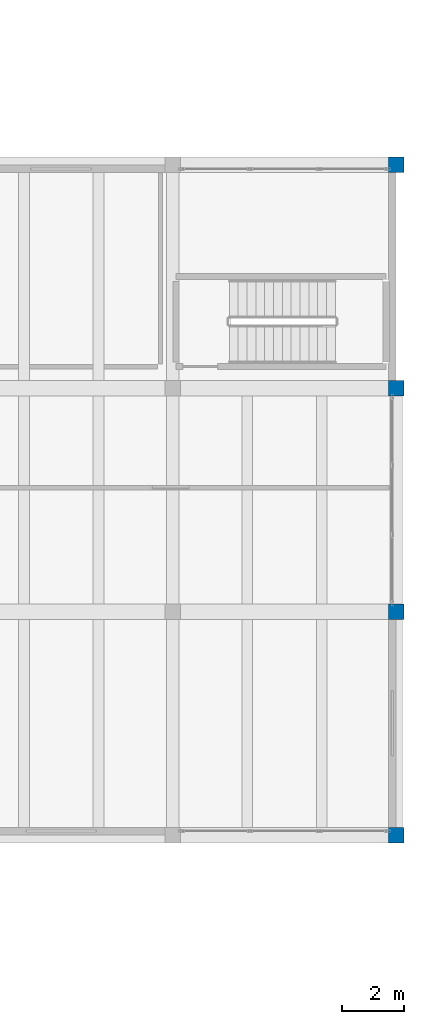
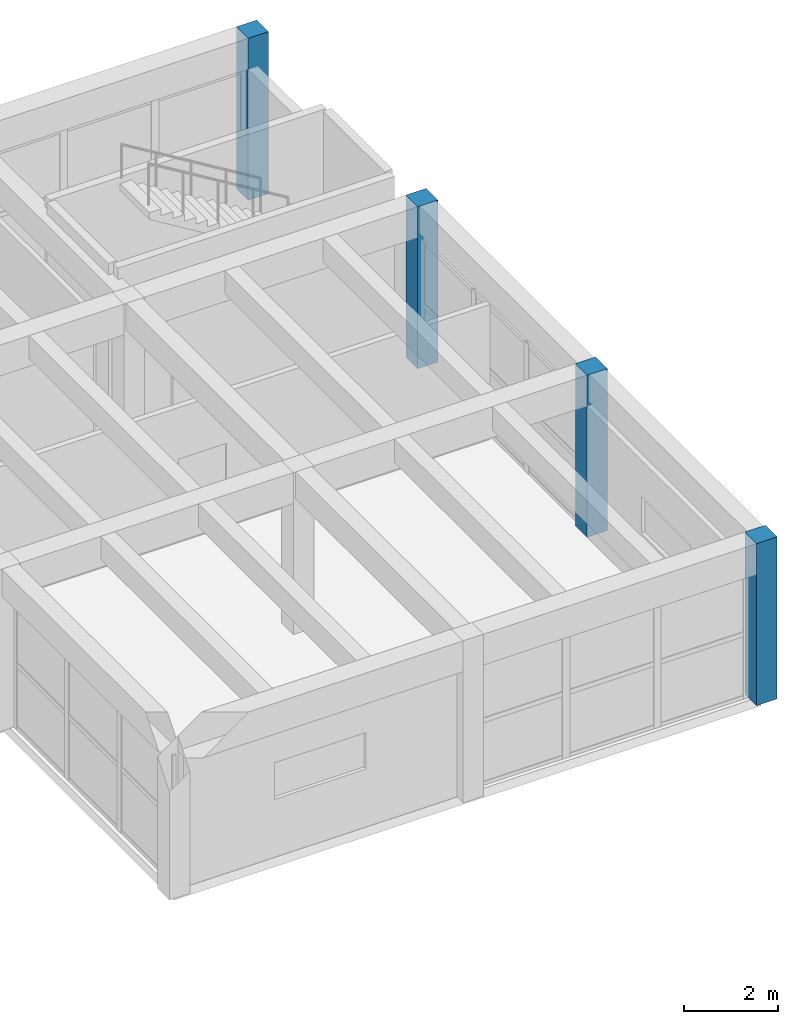
# One storey, part 7 of 153: 4 columns.
"""IFC4 building model written with IfcOpenShell, lengths in metres."""

import ifcopenshell
import ifcopenshell.guid

model = None  # the IFC model being written
_history = None  # IfcOwnerHistory: only IFC2X3 demands one
_inside = {}  # id of a spatial element -> (the spatial element, [elements in it])
_under = {}  # id of a project, library or spatial element -> (it, [spatial elements below it])
_declared = {}  # id of a project -> (the project, [libraries it declares])
_typed = {}  # id of a type object -> (the type object, [elements of that type])
_made_of = {}  # id of a material, layer set ... -> (it, [elements and type objects made of it])


def new_model(schema):
    """Start an empty IFC model of exactly this schema.

    Asked for "IFC4X3", IfcOpenShell would pick the latest addendum, in which some entities
    have other attributes; the version numbers below select the first issue.
    IFC2X3 requires an IfcOwnerHistory on every rooted entity: one is made here for all.
    """
    global model, _history
    if schema == "IFC4X3":
        model = ifcopenshell.file(schema_version=(4, 3, 0, 0))
    else:
        model = ifcopenshell.file(schema=schema)
    _inside.clear()
    _under.clear()
    _declared.clear()
    _typed.clear()
    _made_of.clear()
    _history = None
    if model.schema == "IFC2X3":
        org = make("IfcOrganization", Name="unknown")
        user = make(
            "IfcPersonAndOrganization",
            ThePerson=make("IfcPerson", FamilyName="unknown"),
            TheOrganization=org,
        )
        app = make(
            "IfcApplication",
            ApplicationDeveloper=org,
            Version="unknown",
            ApplicationFullName="unknown",
            ApplicationIdentifier="unknown",
        )
        _history = make(
            "IfcOwnerHistory",
            OwningUser=user,
            OwningApplication=app,
            ChangeAction="ADDED",
            CreationDate=0,
        )
    return model


def make(cls, **values):
    """One entity of the class cls with the attributes given. An attribute that is None is left unset."""
    return model.create_entity(
        cls, **{name: value for name, value in values.items() if value is not None}
    )


def rooted(cls, **values):
    """An entity with a GlobalId (a new one), such as an element, a storey or a relation."""
    return make(cls, GlobalId=ifcopenshell.guid.new(), OwnerHistory=_history, **values)


def si_unit(unit_type, name, prefix=None):
    """IfcSIUnit, for example si_unit("LENGTHUNIT", "METRE", prefix="MILLI")."""
    return make("IfcSIUnit", UnitType=unit_type, Prefix=prefix, Name=name)


def assignment(units):
    """IfcUnitAssignment: the units of a project."""
    return None if units is None else make("IfcUnitAssignment", Units=units)


def point(xyz):
    """IfcCartesianPoint."""
    return None if xyz is None else make("IfcCartesianPoint", Coordinates=xyz)


def direction(xyz):
    """IfcDirection."""
    return None if xyz is None else make("IfcDirection", DirectionRatios=xyz)


def frame(location, z_axis=None, x_axis=None):
    """IfcAxis2Placement3D, a coordinate frame: its origin and axes. An axis left out is left unset."""
    return make(
        "IfcAxis2Placement3D",
        Location=point(location),
        Axis=direction(z_axis),
        RefDirection=direction(x_axis),
    )


def frame_2d(location, x_axis=None):
    """IfcAxis2Placement2D, a coordinate frame in the plane: its origin and x axis."""
    return make(
        "IfcAxis2Placement2D", Location=point(location), RefDirection=direction(x_axis)
    )


def origin():
    """The frame at (0, 0, 0) with its axes left unset."""
    return frame((0.0, 0.0, 0.0))


def origin_2d():
    """The frame at (0, 0) in the plane with its x axis left unset."""
    return frame_2d((0.0, 0.0))


def place(relative_to, where):
    """IfcLocalPlacement: puts the frame where relative to a parent placement (None: the world)."""
    return make(
        "IfcLocalPlacement", PlacementRelTo=relative_to, RelativePlacement=where
    )


def context(
    kind, dimensions, precision=None, world=None, true_north=None, identifier=None
):
    """IfcGeometricRepresentationContext, for example the 3D "Model" context."""
    return make(
        "IfcGeometricRepresentationContext",
        ContextIdentifier=identifier,
        ContextType=kind,
        CoordinateSpaceDimension=dimensions,
        Precision=precision,
        WorldCoordinateSystem=world,
        TrueNorth=true_north,
    )


def subcontext(parent, identifier, kind, view, scale=None):
    """IfcGeometricRepresentationSubContext, for example "Body" below "Model"."""
    return make(
        "IfcGeometricRepresentationSubContext",
        ContextIdentifier=identifier,
        ContextType=kind,
        ParentContext=parent,
        TargetScale=scale,
        TargetView=view,
    )


def project(units=None, contexts=None):
    """IfcProject with its units and contexts."""
    return rooted(
        "IfcProject",
        Name="project",
        RepresentationContexts=contexts,
        UnitsInContext=assignment(units),
    )


def spatial(cls, under=None, at=None, **own):
    """A site, building, storey or space (cls), placed at a placement, below another one or the project."""
    s = rooted(cls, ObjectPlacement=at, **own)
    if under is not None:
        _under.setdefault(under.id(), (under, []))[1].append(s)
    return s


def profile(cls, at=None, kind="AREA", **sizes):
    """A parametric profile (cls). Its sizes go by their IFC names, for example OverallWidth=200.0."""
    return make(cls, ProfileType=kind, Position=at, **sizes)


def rectangle(**sizes):
    """IfcRectangleProfileDef."""
    return profile("IfcRectangleProfileDef", **sizes)


def extrude(swept, where, along, depth):
    """IfcExtrudedAreaSolid: the profile swept, set in the frame where, extruded along a direction by depth."""
    return make(
        "IfcExtrudedAreaSolid",
        SweptArea=swept,
        Position=where,
        ExtrudedDirection=direction(along),
        Depth=depth,
    )


def shape(context_of_items, identifier, shape_type, items):
    """IfcShapeRepresentation: the items that make up one representation, for example the "Body"."""
    return make(
        "IfcShapeRepresentation",
        ContextOfItems=context_of_items,
        RepresentationIdentifier=identifier,
        RepresentationType=shape_type,
        Items=items,
    )


def material(Name=None, Category=None):
    """IfcMaterial."""
    return make("IfcMaterial", Name=Name, Category=Category)


def material_profile(
    of_material, cross_section, Name=None, Category=None, Priority=None
):
    """IfcMaterialProfile: a cross section and its material."""
    return make(
        "IfcMaterialProfile",
        Name=Name,
        Material=of_material,
        Profile=cross_section,
        Priority=Priority,
        Category=Category,
    )


def profile_set(profiles, Name=None, composite=None):
    """IfcMaterialProfileSet."""
    return make(
        "IfcMaterialProfileSet",
        Name=Name,
        MaterialProfiles=profiles,
        CompositeProfile=composite,
    )


def made_of(thing, what):
    """Note that an element or type object is made of a material, layer set ...; save() writes the relation."""
    if what is not None:
        _made_of.setdefault(what.id(), (what, []))[1].append(thing)
    return thing


def type_object(cls, material=None, **own):
    """A type object (cls), such as IfcWallType, which elements share."""
    return made_of(rooted(cls, **own), material)


def element(
    cls,
    number,
    at=None,
    inside=None,
    cuts=None,
    type_object=None,
    material=None,
    context=None,
    identifier="Body",
    shape_type=None,
    held_by="IfcProductDefinitionShape",
    body=None,
    shapes=None,
    **own,
):
    """One element of the class cls, such as IfcWall. Its Tag is "e" and its number.

    at: its placement. inside: the storey or other place that contains it. cuts: it is an
    opening in that element (IfcRelVoidsElement). A single representation is given by context,
    identifier, shape_type and body (its items); several are given by shapes. held_by: the class
    of the entity that holds the representations. save() writes the other relations.
    """
    e = rooted(cls, Tag="e%d" % number, ObjectPlacement=at, **own)
    if body is not None:
        shapes = [shape(context, identifier, shape_type, body)]
    if shapes is not None:
        e.Representation = make(held_by, Representations=shapes)
    if inside is not None:
        _inside.setdefault(inside.id(), (inside, []))[1].append(e)
    if cuts is not None:
        rooted(
            "IfcRelVoidsElement", RelatingBuildingElement=cuts, RelatedOpeningElement=e
        )
    if type_object is not None:
        _typed.setdefault(type_object.id(), (type_object, []))[1].append(e)
    return made_of(e, material)


def aggregate(whole, parts):
    """IfcRelAggregates: a whole, such as a stair, and the parts it consists of."""
    return rooted("IfcRelAggregates", RelatingObject=whole, RelatedObjects=parts)


def save(model, path):
    """Write the relations noted so far, then the file.

    IfcRelAggregates (storeys below a building ...), IfcRelContainedInSpatialStructure (elements
    in a storey), IfcRelDefinesByType, IfcRelAssociatesMaterial and IfcRelDeclares: one each for
    every whole, place, type object, material and project.
    """
    for whole, parts in _under.values():
        aggregate(whole, parts)
    for where, things in _inside.values():
        rooted(
            "IfcRelContainedInSpatialStructure",
            RelatedElements=things,
            RelatingStructure=where,
        )
    for kind, things in _typed.values():
        rooted("IfcRelDefinesByType", RelatedObjects=things, RelatingType=kind)
    for what, things in _made_of.values():
        rooted("IfcRelAssociatesMaterial", RelatedObjects=things, RelatingMaterial=what)
    for by, libraries in _declared.values():
        rooted("IfcRelDeclares", RelatingContext=by, RelatedDefinitions=libraries)
    model.write(path)


model = new_model("IFC4")

# Units and contexts
model_context = context("Model", 3, precision=1e-05, world=origin(), true_north=direction((0.0, 1.0)))
body_context = subcontext(model_context, "Body", "Model", "MODEL_VIEW")
ifc_project = project(units=[si_unit("LENGTHUNIT", "METRE"), si_unit("AREAUNIT", "SQUARE_METRE"), si_unit("VOLUMEUNIT", "CUBIC_METRE"), si_unit("PLANEANGLEUNIT", "RADIAN"), si_unit("MASSUNIT", "GRAM", prefix="KILO")], contexts=[model_context])

# Site, building, storey
site_placement = place(None, origin())
site = spatial("IfcSite", under=ifc_project, at=site_placement, CompositionType="ELEMENT")
building_placement = place(site_placement, origin())
building = spatial("IfcBuilding", under=site, at=building_placement, Name="Bramvelor Terrace Health Centre", CompositionType="ELEMENT")
storey_placement = place(building_placement, frame((0.0, 0.0, 4.800048828125)))
storey = spatial("IfcBuildingStorey", under=building, at=storey_placement, Name="L02", CompositionType="ELEMENT", Elevation=4.800048828125)

# Columns
ifc_material = material(Name="Concrete C40/50", Category="concrete")
ifc_material_profile = material_profile(ifc_material, rectangle(XDim=0.5, YDim=0.5, at=origin_2d()), Name="RC 500x500")
ifc_profile_set = profile_set([ifc_material_profile], Name="Concrete C40/50")
column_type = type_object("IfcColumnType", Name="COL-RC-500-EXT", PredefinedType="COLUMN", material=ifc_profile_set)
for number, where, z_axis, x_axis, name in (
    (1, (165.60009765625, 43.199951171875, 0.0), (0.0, 0.0, 1.0), (1.0, 0.0, 0.0), "L02 Column (165.6, 43.2)"),
    (2, (165.60009765625, 50.39990234375, 0.0), (0.0, 0.0, 1.0), (1.0, 0.0, 0.0), "L02 Column (165.6, 50.4)"),
    (3, (165.60009765625, 57.60009765625, 0.0), (0.0, 0.0, 1.0), (1.0, 0.0, 0.0), "L02 Column (165.6, 57.6)"),
    (4, (165.60009765625, 64.800048828125, 0.0), (0.0, 0.0, 1.0), (1.0, 0.0, 0.0), "L02 Column (165.6, 64.8)"),
):
    element("IfcColumn", number, at=place(storey_placement, frame(where, z_axis=z_axis, x_axis=x_axis)), inside=storey, type_object=column_type, Name=name, PredefinedType="COLUMN", context=body_context, shape_type="SweptSolid", body=[
        extrude(rectangle(XDim=0.5, YDim=0.5, at=origin_2d()), origin(), (0.0, 0.0, 1.0), 4.199951171875),
    ])

save(model, "model.ifc")
